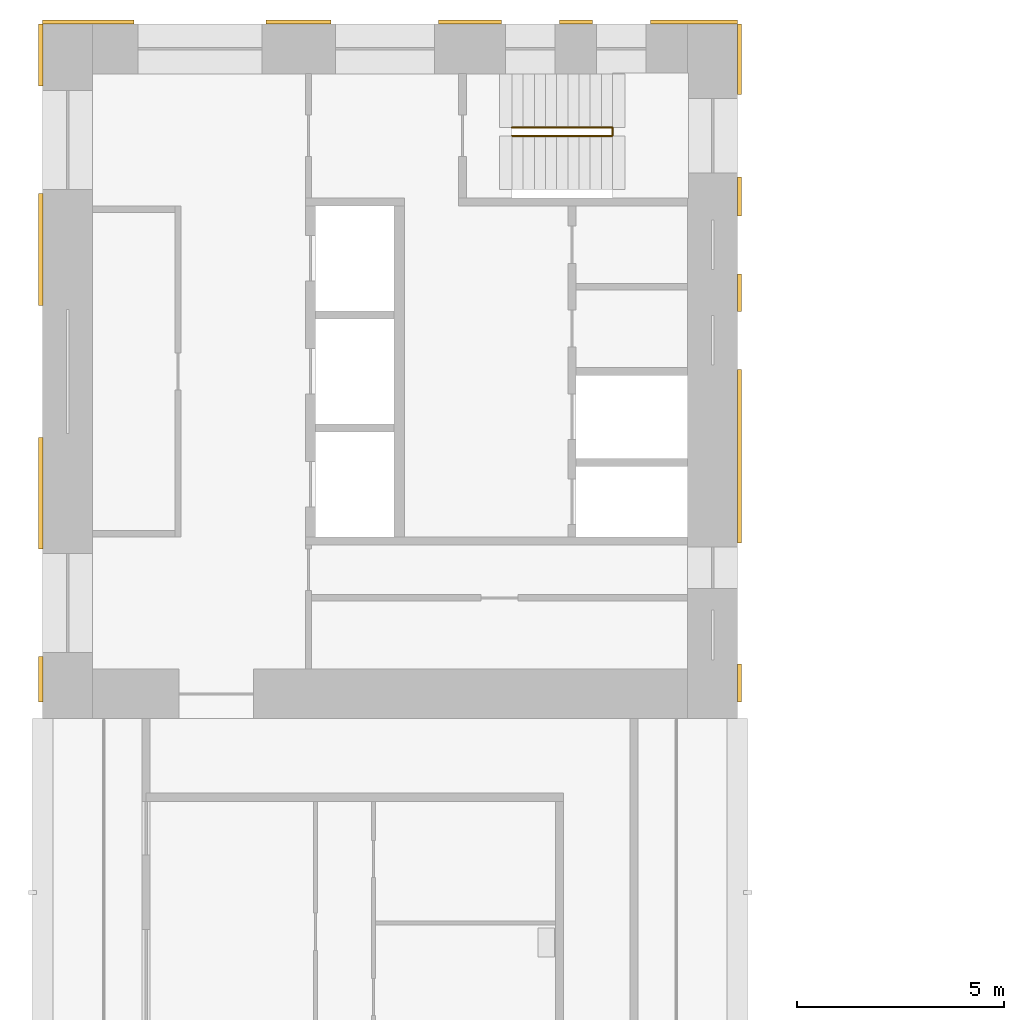
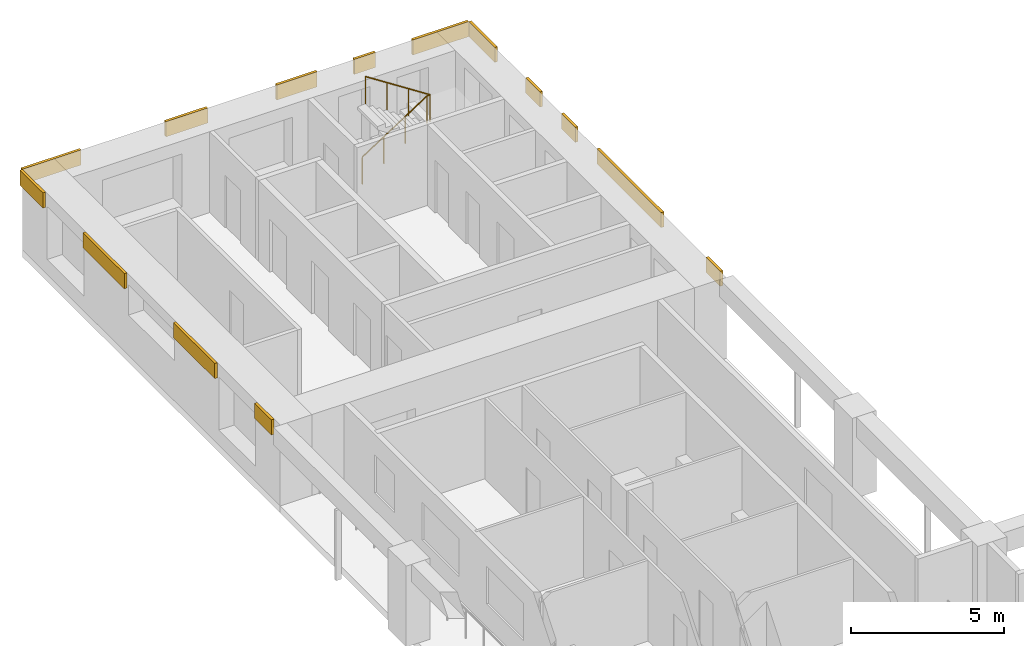
# One storey, part 9 of 10: 14 shading devices, 1 railing.
"""IFC4 building model written with IfcOpenShell, lengths in metres."""

import ifcopenshell
import ifcopenshell.guid

model = None  # the IFC model being written
_history = None  # IfcOwnerHistory: only IFC2X3 demands one
_inside = {}  # id of a spatial element -> (the spatial element, [elements in it])
_under = {}  # id of a project, library or spatial element -> (it, [spatial elements below it])
_declared = {}  # id of a project -> (the project, [libraries it declares])
_typed = {}  # id of a type object -> (the type object, [elements of that type])
_made_of = {}  # id of a material, layer set ... -> (it, [elements and type objects made of it])


def new_model(schema):
    """Start an empty IFC model of exactly this schema.

    Asked for "IFC4X3", IfcOpenShell would pick the latest addendum, in which some entities
    have other attributes; the version numbers below select the first issue.
    IFC2X3 requires an IfcOwnerHistory on every rooted entity: one is made here for all.
    """
    global model, _history
    if schema == "IFC4X3":
        model = ifcopenshell.file(schema_version=(4, 3, 0, 0))
    else:
        model = ifcopenshell.file(schema=schema)
    _inside.clear()
    _under.clear()
    _declared.clear()
    _typed.clear()
    _made_of.clear()
    _history = None
    if model.schema == "IFC2X3":
        org = make("IfcOrganization", Name="unknown")
        user = make(
            "IfcPersonAndOrganization",
            ThePerson=make("IfcPerson", FamilyName="unknown"),
            TheOrganization=org,
        )
        app = make(
            "IfcApplication",
            ApplicationDeveloper=org,
            Version="unknown",
            ApplicationFullName="unknown",
            ApplicationIdentifier="unknown",
        )
        _history = make(
            "IfcOwnerHistory",
            OwningUser=user,
            OwningApplication=app,
            ChangeAction="ADDED",
            CreationDate=0,
        )
    return model


def make(cls, **values):
    """One entity of the class cls with the attributes given. An attribute that is None is left unset."""
    return model.create_entity(
        cls, **{name: value for name, value in values.items() if value is not None}
    )


def rooted(cls, **values):
    """An entity with a GlobalId (a new one), such as an element, a storey or a relation."""
    return make(cls, GlobalId=ifcopenshell.guid.new(), OwnerHistory=_history, **values)


def si_unit(unit_type, name, prefix=None):
    """IfcSIUnit, for example si_unit("LENGTHUNIT", "METRE", prefix="MILLI")."""
    return make("IfcSIUnit", UnitType=unit_type, Prefix=prefix, Name=name)


def assignment(units):
    """IfcUnitAssignment: the units of a project."""
    return None if units is None else make("IfcUnitAssignment", Units=units)


def point(xyz):
    """IfcCartesianPoint."""
    return None if xyz is None else make("IfcCartesianPoint", Coordinates=xyz)


def direction(xyz):
    """IfcDirection."""
    return None if xyz is None else make("IfcDirection", DirectionRatios=xyz)


def frame(location, z_axis=None, x_axis=None):
    """IfcAxis2Placement3D, a coordinate frame: its origin and axes. An axis left out is left unset."""
    return make(
        "IfcAxis2Placement3D",
        Location=point(location),
        Axis=direction(z_axis),
        RefDirection=direction(x_axis),
    )


def frame_2d(location, x_axis=None):
    """IfcAxis2Placement2D, a coordinate frame in the plane: its origin and x axis."""
    return make(
        "IfcAxis2Placement2D", Location=point(location), RefDirection=direction(x_axis)
    )


def origin():
    """The frame at (0, 0, 0) with its axes left unset."""
    return frame((0.0, 0.0, 0.0))


def origin_2d():
    """The frame at (0, 0) in the plane with its x axis left unset."""
    return frame_2d((0.0, 0.0))


def place(relative_to, where):
    """IfcLocalPlacement: puts the frame where relative to a parent placement (None: the world)."""
    return make(
        "IfcLocalPlacement", PlacementRelTo=relative_to, RelativePlacement=where
    )


def context(
    kind, dimensions, precision=None, world=None, true_north=None, identifier=None
):
    """IfcGeometricRepresentationContext, for example the 3D "Model" context."""
    return make(
        "IfcGeometricRepresentationContext",
        ContextIdentifier=identifier,
        ContextType=kind,
        CoordinateSpaceDimension=dimensions,
        Precision=precision,
        WorldCoordinateSystem=world,
        TrueNorth=true_north,
    )


def subcontext(parent, identifier, kind, view, scale=None):
    """IfcGeometricRepresentationSubContext, for example "Body" below "Model"."""
    return make(
        "IfcGeometricRepresentationSubContext",
        ContextIdentifier=identifier,
        ContextType=kind,
        ParentContext=parent,
        TargetScale=scale,
        TargetView=view,
    )


def project(units=None, contexts=None):
    """IfcProject with its units and contexts."""
    return rooted(
        "IfcProject",
        Name="project",
        RepresentationContexts=contexts,
        UnitsInContext=assignment(units),
    )


def spatial(cls, under=None, at=None, **own):
    """A site, building, storey or space (cls), placed at a placement, below another one or the project."""
    s = rooted(cls, ObjectPlacement=at, **own)
    if under is not None:
        _under.setdefault(under.id(), (under, []))[1].append(s)
    return s


def profile(cls, at=None, kind="AREA", **sizes):
    """A parametric profile (cls). Its sizes go by their IFC names, for example OverallWidth=200.0."""
    return make(cls, ProfileType=kind, Position=at, **sizes)


def rectangle(**sizes):
    """IfcRectangleProfileDef."""
    return profile("IfcRectangleProfileDef", **sizes)


def circle(**sizes):
    """IfcCircleProfileDef."""
    return profile("IfcCircleProfileDef", **sizes)


def extrude(swept, where, along, depth):
    """IfcExtrudedAreaSolid: the profile swept, set in the frame where, extruded along a direction by depth."""
    return make(
        "IfcExtrudedAreaSolid",
        SweptArea=swept,
        Position=where,
        ExtrudedDirection=direction(along),
        Depth=depth,
    )


def shape(context_of_items, identifier, shape_type, items):
    """IfcShapeRepresentation: the items that make up one representation, for example the "Body"."""
    return make(
        "IfcShapeRepresentation",
        ContextOfItems=context_of_items,
        RepresentationIdentifier=identifier,
        RepresentationType=shape_type,
        Items=items,
    )


def material(Name=None, Category=None):
    """IfcMaterial."""
    return make("IfcMaterial", Name=Name, Category=Category)


def layer(
    of_material, thickness, ventilated=None, Name=None, Category=None, Priority=None
):
    """IfcMaterialLayer: one layer of a wall or slab, of a material (None: an air gap)."""
    return make(
        "IfcMaterialLayer",
        Material=of_material,
        LayerThickness=thickness,
        IsVentilated=ventilated,
        Name=Name,
        Category=Category,
        Priority=Priority,
    )


def layer_set(layers, Name=None):
    """IfcMaterialLayerSet."""
    return make("IfcMaterialLayerSet", MaterialLayers=layers, LayerSetName=Name)


def made_of(thing, what):
    """Note that an element or type object is made of a material, layer set ...; save() writes the relation."""
    if what is not None:
        _made_of.setdefault(what.id(), (what, []))[1].append(thing)
    return thing


def type_object(cls, material=None, **own):
    """A type object (cls), such as IfcWallType, which elements share."""
    return made_of(rooted(cls, **own), material)


def element(
    cls,
    number,
    at=None,
    inside=None,
    cuts=None,
    type_object=None,
    material=None,
    context=None,
    identifier="Body",
    shape_type=None,
    held_by="IfcProductDefinitionShape",
    body=None,
    shapes=None,
    **own,
):
    """One element of the class cls, such as IfcWall. Its Tag is "e" and its number.

    at: its placement. inside: the storey or other place that contains it. cuts: it is an
    opening in that element (IfcRelVoidsElement). A single representation is given by context,
    identifier, shape_type and body (its items); several are given by shapes. held_by: the class
    of the entity that holds the representations. save() writes the other relations.
    """
    e = rooted(cls, Tag="e%d" % number, ObjectPlacement=at, **own)
    if body is not None:
        shapes = [shape(context, identifier, shape_type, body)]
    if shapes is not None:
        e.Representation = make(held_by, Representations=shapes)
    if inside is not None:
        _inside.setdefault(inside.id(), (inside, []))[1].append(e)
    if cuts is not None:
        rooted(
            "IfcRelVoidsElement", RelatingBuildingElement=cuts, RelatedOpeningElement=e
        )
    if type_object is not None:
        _typed.setdefault(type_object.id(), (type_object, []))[1].append(e)
    return made_of(e, material)


def aggregate(whole, parts):
    """IfcRelAggregates: a whole, such as a stair, and the parts it consists of."""
    return rooted("IfcRelAggregates", RelatingObject=whole, RelatedObjects=parts)


def save(model, path):
    """Write the relations noted so far, then the file.

    IfcRelAggregates (storeys below a building ...), IfcRelContainedInSpatialStructure (elements
    in a storey), IfcRelDefinesByType, IfcRelAssociatesMaterial and IfcRelDeclares: one each for
    every whole, place, type object, material and project.
    """
    for whole, parts in _under.values():
        aggregate(whole, parts)
    for where, things in _inside.values():
        rooted(
            "IfcRelContainedInSpatialStructure",
            RelatedElements=things,
            RelatingStructure=where,
        )
    for kind, things in _typed.values():
        rooted("IfcRelDefinesByType", RelatedObjects=things, RelatingType=kind)
    for what, things in _made_of.values():
        rooted("IfcRelAssociatesMaterial", RelatedObjects=things, RelatingMaterial=what)
    for by, libraries in _declared.values():
        rooted("IfcRelDeclares", RelatingContext=by, RelatedDefinitions=libraries)
    model.write(path)


model = new_model("IFC4")

# Units and contexts
model_context = context("Model", 3, precision=1e-05, world=origin(), true_north=direction((0.0, 1.0)))
body_context = subcontext(model_context, "Body", "Model", "MODEL_VIEW")
ifc_project = project(units=[si_unit("LENGTHUNIT", "METRE"), si_unit("AREAUNIT", "SQUARE_METRE"), si_unit("VOLUMEUNIT", "CUBIC_METRE"), si_unit("PLANEANGLEUNIT", "RADIAN"), si_unit("MASSUNIT", "GRAM", prefix="KILO")], contexts=[model_context])

# Site, building, storey
site_placement = place(None, origin())
site = spatial("IfcSite", under=ifc_project, at=site_placement, CompositionType="ELEMENT")
building_placement = place(site_placement, origin())
building = spatial("IfcBuilding", under=site, at=building_placement, Name="Vermilion Gate Residences", CompositionType="ELEMENT")
storey_placement = place(building_placement, frame((0.0, 0.0, 172.199951171875)))
storey = spatial("IfcBuildingStorey", under=building, at=storey_placement, Name="L44", CompositionType="ELEMENT", Elevation=172.199951171875)

# Railing
ifc_material_1 = material(Name="Steel S355", Category="steel")
railing_type = type_object("IfcRailingType", Name="STAIR GUARD 1100 STEEL", PredefinedType="GUARDRAIL", material=ifc_material_1)
railing_placement = place(storey_placement, frame((19.75, 56.300048828125, 0.175048828125)))
element("IfcRailing", 1, at=railing_placement, inside=storey, type_object=railing_type, Name="Stair well guard STB1-44", PredefinedType="GUARDRAIL", context=body_context, shape_type="SweptSolid", body=[
    extrude(circle(Radius=0.02392578125, at=origin_2d()), frame((0.0, 0.0, 1.076171875), z_axis=(0.839153699163, 0.0, 0.543894354798), x_axis=(0.0, 1.0, 0.0)), (0.0, 0.0, 1.0), 2.895751953125),
    extrude(circle(Radius=0.02392578125, at=origin_2d()), frame((2.429931640625, 0.0, 2.65087890625), z_axis=(0.0, -0.752405939678, 0.658699705433), x_axis=(1.0, 0.0, 0.0)), (0.0, 0.0, 1.0), 0.265869140625),
    extrude(circle(Radius=0.02392578125, at=origin_2d()), frame((2.429931640625, -0.199951171875, 2.826171875), z_axis=(-0.839153699163, 0.0, 0.543894354798), x_axis=(0.0, -1.0, 0.0)), (0.0, 0.0, 1.0), 2.895751953125),
    extrude(circle(Radius=0.02099609375, at=origin_2d()), origin(), (0.0, 0.0, 1.0), 1.052001953125),
    extrude(circle(Radius=0.02099609375, at=origin_2d()), frame((0.81005859375, 0.0, 0.52490234375)), (0.0, 0.0, 1.0), 1.052001953125),
    extrude(circle(Radius=0.02099609375, at=origin_2d()), frame((1.619873046875, 0.0, 1.050048828125)), (0.0, 0.0, 1.0), 1.052001953125),
    extrude(circle(Radius=0.02099609375, at=origin_2d()), frame((2.429931640625, 0.0, 1.574951171875)), (0.0, 0.0, 1.0), 1.052001953125),
    extrude(circle(Radius=0.02099609375, at=origin_2d()), frame((2.429931640625, -0.199951171875, 1.75)), (0.0, 0.0, 1.0), 1.052001953125),
    extrude(circle(Radius=0.02099609375, at=origin_2d()), frame((1.619873046875, -0.199951171875, 2.27490234375)), (0.0, 0.0, 1.0), 1.052001953125),
    extrude(circle(Radius=0.02099609375, at=origin_2d()), frame((0.81005859375, -0.199951171875, 2.800048828125)), (0.0, 0.0, 1.0), 1.052001953125),
    extrude(circle(Radius=0.02099609375, at=origin_2d()), frame((0.0, -0.199951171875, 3.324951171875)), (0.0, 0.0, 1.0), 1.052001953125),
])

# Shading devices
ifc_material_2 = material(Name="Extruded terracotta", Category="masonry")
ifc_layer = layer(ifc_material_2, 0.10009765625)
ifc_layer_set = layer_set([ifc_layer], Name="TERRACOTTA SPANDREL BAND 600 X 100")
shading_device_type = type_object("IfcShadingDeviceType", Name="TERRACOTTA SPANDREL BAND 600 X 100", PredefinedType="USERDEFINED", material=ifc_layer_set)
shading_device_1_placement = place(storey_placement, frame((9.50244140625, 58.85009765625, 2.6201171875), z_axis=(0.0, 0.0, 1.0), x_axis=(1.0, 0.0, 0.0)))
element("IfcShadingDevice", 2, at=shading_device_1_placement, inside=storey, type_object=shading_device_type, Name="SPANDREL BAND", ObjectType="BAND", PredefinedType="USERDEFINED", context=body_context, shape_type="SweptSolid", body=[
    extrude(rectangle(XDim=2.205078125, YDim=0.10009765625, at=origin_2d()), origin(), (0.0, 0.0, 1.0), 0.60009765625),
])
shading_device_2_placement = place(storey_placement, frame((14.590087890625, 58.85009765625, 2.6201171875), z_axis=(0.0, 0.0, 1.0), x_axis=(1.0, 0.0, 0.0)))
element("IfcShadingDevice", 3, at=shading_device_2_placement, inside=storey, type_object=shading_device_type, Name="SPANDREL BAND", ObjectType="BAND", PredefinedType="USERDEFINED", context=body_context, shape_type="SweptSolid", body=[
    extrude(rectangle(XDim=1.570068359375, YDim=0.10009765625, at=origin_2d()), origin(), (0.0, 0.0, 1.0), 0.60009765625),
])
shading_device_3_placement = place(storey_placement, frame((18.734130859375, 58.85009765625, 2.6201171875), z_axis=(0.0, 0.0, 1.0), x_axis=(1.0, 0.0, 0.0)))
element("IfcShadingDevice", 4, at=shading_device_3_placement, inside=storey, type_object=shading_device_type, Name="SPANDREL BAND", ObjectType="BAND", PredefinedType="USERDEFINED", context=body_context, shape_type="SweptSolid", body=[
    extrude(rectangle(XDim=1.518310546875, YDim=0.10009765625, at=origin_2d()), origin(), (0.0, 0.0, 1.0), 0.60009765625),
])
shading_device_4_placement = place(storey_placement, frame((21.294921875, 58.85009765625, 2.6201171875), z_axis=(0.0, 0.0, 1.0), x_axis=(1.0, 0.0, 0.0)))
element("IfcShadingDevice", 5, at=shading_device_4_placement, inside=storey, type_object=shading_device_type, Name="SPANDREL BAND", ObjectType="BAND", PredefinedType="USERDEFINED", context=body_context, shape_type="SweptSolid", body=[
    extrude(rectangle(XDim=0.803466796875, YDim=0.10009765625, at=origin_2d()), origin(), (0.0, 0.0, 1.0), 0.60009765625),
])
shading_device_5_placement = place(storey_placement, frame((24.1484375, 58.85009765625, 2.6201171875), z_axis=(0.0, 0.0, 1.0), x_axis=(1.0, 0.0, 0.0)))
element("IfcShadingDevice", 6, at=shading_device_5_placement, inside=storey, type_object=shading_device_type, Name="SPANDREL BAND", ObjectType="BAND", PredefinedType="USERDEFINED", context=body_context, shape_type="SweptSolid", body=[
    extrude(rectangle(XDim=2.103271484375, YDim=0.10009765625, at=origin_2d()), origin(), (0.0, 0.0, 1.0), 0.60009765625),
])
shading_device_6_placement = place(storey_placement, frame((8.35009765625, 42.949951171875, 2.6201171875), z_axis=(0.0, 0.0, 1.0), x_axis=(0.0, 1.0, 0.0)))
element("IfcShadingDevice", 7, at=shading_device_6_placement, inside=storey, type_object=shading_device_type, Name="SPANDREL BAND", ObjectType="BAND", PredefinedType="USERDEFINED", context=body_context, shape_type="SweptSolid", body=[
    extrude(rectangle(XDim=1.10009765625, YDim=0.10009765625, at=origin_2d()), origin(), (0.0, 0.0, 1.0), 0.60009765625),
])
for number, where, z_axis, x_axis, name in (
    (8, (8.35009765625, 47.449951171875, 2.6201171875), (0.0, 0.0, 1.0), (0.0, 1.0, 0.0), "SPANDREL BAND"),
    (9, (8.35009765625, 53.35009765625, 2.6201171875), (0.0, 0.0, 1.0), (0.0, 1.0, 0.0), "SPANDREL BAND"),
):
    element("IfcShadingDevice", number, at=place(storey_placement, frame(where, z_axis=z_axis, x_axis=x_axis)), inside=storey, type_object=shading_device_type, Name=name, ObjectType="BAND", PredefinedType="USERDEFINED", context=body_context, shape_type="SweptSolid", body=[
        extrude(rectangle(XDim=2.699951171875, YDim=0.10009765625, at=origin_2d()), origin(), (0.0, 0.0, 1.0), 0.60009765625),
    ])
shading_device_7_placement = place(storey_placement, frame((8.35009765625, 58.050048828125, 2.6201171875), z_axis=(0.0, 0.0, 1.0), x_axis=(0.0, 1.0, 0.0)))
element("IfcShadingDevice", 10, at=shading_device_7_placement, inside=storey, type_object=shading_device_type, Name="SPANDREL BAND", ObjectType="BAND", PredefinedType="USERDEFINED", context=body_context, shape_type="SweptSolid", body=[
    extrude(rectangle(XDim=1.5, YDim=0.10009765625, at=origin_2d()), origin(), (0.0, 0.0, 1.0), 0.60009765625),
])
shading_device_8_placement = place(storey_placement, frame((25.25, 42.862548828125, 2.6201171875), z_axis=(0.0, 0.0, 1.0), x_axis=(0.0, 1.0, 0.0)))
element("IfcShadingDevice", 11, at=shading_device_8_placement, inside=storey, type_object=shading_device_type, Name="SPANDREL BAND", ObjectType="BAND", PredefinedType="USERDEFINED", context=body_context, shape_type="SweptSolid", body=[
    extrude(rectangle(XDim=0.925048828125, YDim=0.10009765625, at=origin_2d()), origin(), (0.0, 0.0, 1.0), 0.60009765625),
])
shading_device_9_placement = place(storey_placement, frame((25.25, 48.35009765625, 2.6201171875), z_axis=(0.0, 0.0, 1.0), x_axis=(0.0, 1.0, 0.0)))
element("IfcShadingDevice", 12, at=shading_device_9_placement, inside=storey, type_object=shading_device_type, Name="SPANDREL BAND", ObjectType="BAND", PredefinedType="USERDEFINED", context=body_context, shape_type="SweptSolid", body=[
    extrude(rectangle(XDim=4.199951171875, YDim=0.10009765625, at=origin_2d()), origin(), (0.0, 0.0, 1.0), 0.60009765625),
])
shading_device_10_placement = place(storey_placement, frame((25.25, 52.30615234375, 2.6201171875), z_axis=(0.0, 0.0, 1.0), x_axis=(0.0, 1.0, 0.0)))
element("IfcShadingDevice", 13, at=shading_device_10_placement, inside=storey, type_object=shading_device_type, Name="SPANDREL BAND", ObjectType="BAND", PredefinedType="USERDEFINED", context=body_context, shape_type="SweptSolid", body=[
    extrude(rectangle(XDim=0.91259765625, YDim=0.10009765625, at=origin_2d()), origin(), (0.0, 0.0, 1.0), 0.60009765625),
])
shading_device_11_placement = place(storey_placement, frame((25.25, 54.631103515625, 2.6201171875), z_axis=(0.0, 0.0, 1.0), x_axis=(0.0, 1.0, 0.0)))
element("IfcShadingDevice", 14, at=shading_device_11_placement, inside=storey, type_object=shading_device_type, Name="SPANDREL BAND", ObjectType="BAND", PredefinedType="USERDEFINED", context=body_context, shape_type="SweptSolid", body=[
    extrude(rectangle(XDim=0.9375, YDim=0.10009765625, at=origin_2d()), origin(), (0.0, 0.0, 1.0), 0.60009765625),
])
shading_device_12_placement = place(storey_placement, frame((25.25, 57.949951171875, 2.6201171875), z_axis=(0.0, 0.0, 1.0), x_axis=(0.0, 1.0, 0.0)))
element("IfcShadingDevice", 15, at=shading_device_12_placement, inside=storey, type_object=shading_device_type, Name="SPANDREL BAND", ObjectType="BAND", PredefinedType="USERDEFINED", context=body_context, shape_type="SweptSolid", body=[
    extrude(rectangle(XDim=1.699951171875, YDim=0.10009765625, at=origin_2d()), origin(), (0.0, 0.0, 1.0), 0.60009765625),
])

save(model, "model.ifc")
